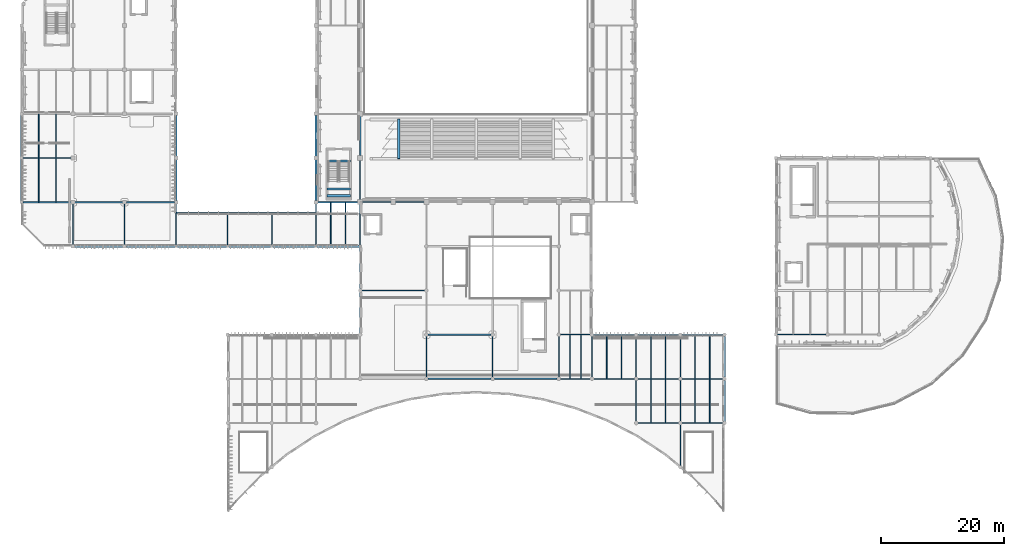
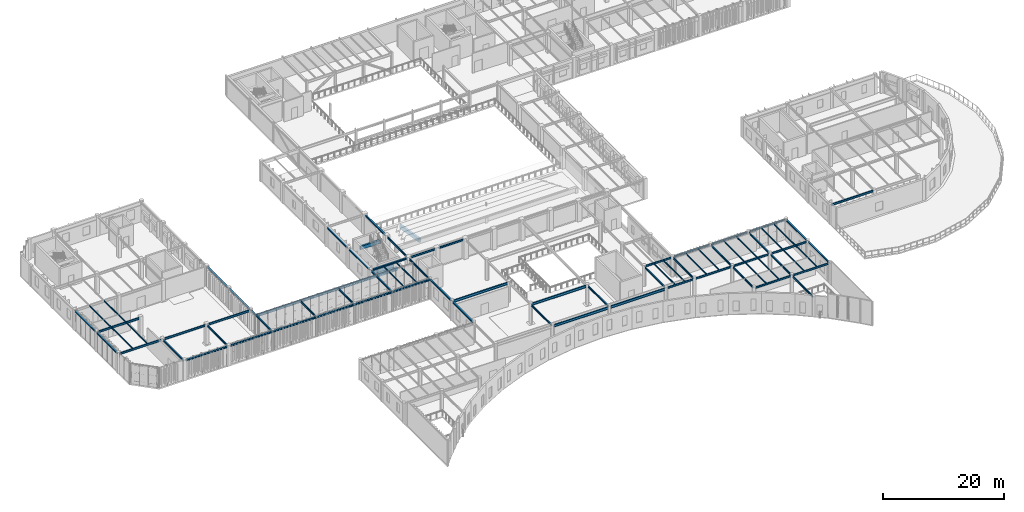
# One storey, part 12 of 104: 79 beams.
"""IFC4 building model written with IfcOpenShell, lengths in metres."""

from ifc_helpers import new_model, si_unit, direction, frame, origin, origin_2d, place, context, subcontext, project, spatial, rectangle, i_section, extrude, material, material_profile, profile_set, type_object, element, save


model = new_model("IFC4")

# Units and contexts
model_context = context("Model", 3, precision=1e-05, world=origin(), true_north=direction((0.0, 1.0)))
body_context = subcontext(model_context, "Body", "Model", "MODEL_VIEW")
ifc_project = project(units=[si_unit("LENGTHUNIT", "METRE"), si_unit("AREAUNIT", "SQUARE_METRE"), si_unit("VOLUMEUNIT", "CUBIC_METRE"), si_unit("PLANEANGLEUNIT", "RADIAN"), si_unit("MASSUNIT", "GRAM", prefix="KILO")], contexts=[model_context])

# Site, building, storey
site_placement = place(None, origin())
site = spatial("IfcSite", under=ifc_project, at=site_placement, CompositionType="ELEMENT")
building_placement = place(site_placement, origin())
building = spatial("IfcBuilding", under=site, at=building_placement, Name="Tazoul Stagehouse", CompositionType="ELEMENT")
storey_placement = place(building_placement, frame((0.0, 0.0, 9.0)))
storey = spatial("IfcBuildingStorey", under=building, at=storey_placement, Name="L02", CompositionType="ELEMENT", Elevation=9.0)

# Beams
ifc_material_1 = material(Name="Concrete C40/50", Category="concrete")
ifc_material_profile_1 = material_profile(ifc_material_1, rectangle(XDim=0.39990234375, YDim=0.75, at=origin_2d()), Name="RC 400x750")
ifc_profile_set_1 = profile_set([ifc_material_profile_1], Name="Concrete C40/50")
beam_type_1 = type_object("IfcBeamType", Name="RC Auditorium Raker Girder 400x750", PredefinedType="BEAM", material=ifc_profile_set_1)
beam_1_placement = place(storey_placement, frame((63.89990234375, 65.300048828125, -0.219970703125), z_axis=(0.0, -0.987536828698, 0.157388093469), x_axis=(1.0, 0.0, 0.0)))
element("IfcBeam", 1, at=beam_1_placement, inside=storey, type_object=beam_type_1, Name="RAKER V1-UPPER RB-01-01", PredefinedType="BEAM", context=body_context, shape_type="SweptSolid", body=[
    extrude(rectangle(XDim=0.39990234375, YDim=0.75, at=origin_2d()), origin(), (0.0, 0.0, 1.0), 6.48095703125),
])
ifc_material_profile_2 = material_profile(ifc_material_1, rectangle(XDim=0.35009765625, YDim=0.64990234375, at=origin_2d()), Name="RC 350x650")
ifc_profile_set_2 = profile_set([ifc_material_profile_2], Name="Concrete C40/50")
beam_type_2 = type_object("IfcBeamType", Name="RC Primary Girder 350x650", PredefinedType="BEAM", material=ifc_profile_set_2)
for number, where, z_axis, x_axis, name in (
    (2, (52.219970703125, 52.840087890625, 1.580078125), (1.0, 0.0, 0.0), (0.0, 1.0, 0.0), "L02 Stair Half-Landing Trimmer BM-01 (ST-05-1)"),
    (3, (52.219970703125, 53.93994140625, 1.580078125), (1.0, 0.0, 0.0), (0.0, 1.0, 0.0), "L02 Stair Half-Landing Trimmer BM-01 (ST-05-2)"),
    (4, (52.219970703125, 58.489990234375, 3.625), (1.0, 0.0, 0.0), (0.0, 1.0, 0.0), "L02 Stair Landing Trimmer BM-01 (ST-05-FL)"),
):
    element("IfcBeam", number, at=place(storey_placement, frame(where, z_axis=z_axis, x_axis=x_axis)), inside=storey, type_object=beam_type_2, Name=name, PredefinedType="BEAM", context=body_context, shape_type="SweptSolid", body=[
        extrude(rectangle(XDim=0.35009765625, YDim=0.64990234375, at=origin_2d()), origin(), (0.0, 0.0, 1.0), 3.81005859375),
    ])
ifc_material_2 = material(Name="Steel S355", Category="steel")
ifc_material_profile_3 = material_profile(ifc_material_2, i_section(OverallWidth=0.300048828125, OverallDepth=0.2900390625, WebThickness=0.008544921875, FlangeThickness=0.013916015625, FilletRadius=0.027099609375, at=origin_2d()), Name="HEA 300")
ifc_profile_set_3 = profile_set([ifc_material_profile_3], Name="Steel S355")
beam_type_3 = type_object("IfcBeamType", Name="Steel Crescent Spandrel HEA 300 (Exterior)", PredefinedType="SPANDREL", material=ifc_profile_set_3)
for number, where, z_axis, x_axis, name in (
    (5, (95.675048828125, 30.199951171875, 3.81298828125), (1.0, 0.0, 0.0), (0.0, 1.0, 0.0), "L02 Beam SP-03E E/15-16"),
    (6, (102.875, 30.199951171875, 3.81298828125), (1.0, 0.0, 0.0), (0.0, 1.0, 0.0), "L02 Beam SP-03E E/16-17"),
):
    element("IfcBeam", number, at=place(storey_placement, frame(where, z_axis=z_axis, x_axis=x_axis)), inside=storey, type_object=beam_type_3, Name=name, PredefinedType="SPANDREL", context=body_context, shape_type="SweptSolid", body=[
        extrude(i_section(OverallWidth=0.300048828125, OverallDepth=0.2900390625, WebThickness=0.008544921875, FlangeThickness=0.013916015625, FilletRadius=0.027099609375, at=origin_2d()), origin(), (0.0, 0.0, 1.0), 6.64990234375),
    ])
beam_2_placement = place(storey_placement, frame((110.074951171875, 30.199951171875, 3.81298828125), z_axis=(1.0, 0.0, 0.0), x_axis=(0.0, 1.0, 0.0)))
element("IfcBeam", 7, at=beam_2_placement, inside=storey, type_object=beam_type_3, Name="L02 Beam SP-03E E/17-18", PredefinedType="SPANDREL", context=body_context, shape_type="SweptSolid", body=[
    extrude(i_section(OverallWidth=0.300048828125, OverallDepth=0.2900390625, WebThickness=0.008544921875, FlangeThickness=0.013916015625, FilletRadius=0.027099609375, at=origin_2d()), origin(), (0.0, 0.0, 1.0), 6.650146484375),
])
beam_3_placement = place(storey_placement, frame((11.074951171875, 44.60009765625, 3.822998046875), z_axis=(1.0, 0.0, 0.0), x_axis=(0.0, 1.0, 0.0)))
element("IfcBeam", 8, at=beam_3_placement, inside=storey, type_object=beam_type_3, Name="L02 Beam SP-03E G/2-3", PredefinedType="SPANDREL", context=body_context, shape_type="SweptSolid", body=[
    extrude(i_section(OverallWidth=0.300048828125, OverallDepth=0.2900390625, WebThickness=0.008544921875, FlangeThickness=0.013916015625, FilletRadius=0.027099609375, at=origin_2d()), origin(), (0.0, 0.0, 1.0), 7.85009765625),
])
beam_4_placement = place(storey_placement, frame((19.47509765625, 44.60009765625, 3.822998046875), z_axis=(1.0, 0.0, 0.0), x_axis=(0.0, 1.0, 0.0)))
element("IfcBeam", 9, at=beam_4_placement, inside=storey, type_object=beam_type_3, Name="L02 Beam SP-03E G/3-4", PredefinedType="SPANDREL", context=body_context, shape_type="SweptSolid", body=[
    extrude(i_section(OverallWidth=0.300048828125, OverallDepth=0.2900390625, WebThickness=0.008544921875, FlangeThickness=0.013916015625, FilletRadius=0.027099609375, at=origin_2d()), origin(), (0.0, 0.0, 1.0), 8.114990234375),
])
beam_5_placement = place(storey_placement, frame((27.610107421875, 44.60009765625, 3.822998046875), z_axis=(1.0, 0.0, 0.0), x_axis=(0.0, 1.0, 0.0)))
element("IfcBeam", 10, at=beam_5_placement, inside=storey, type_object=beam_type_3, Name="L02 Beam SP-03E G/4-5", PredefinedType="SPANDREL", context=body_context, shape_type="SweptSolid", body=[
    extrude(i_section(OverallWidth=0.300048828125, OverallDepth=0.2900390625, WebThickness=0.008544921875, FlangeThickness=0.013916015625, FilletRadius=0.027099609375, at=origin_2d()), origin(), (0.0, 0.0, 1.0), 8.3798828125),
])
for number, where, z_axis, x_axis, name in (
    (11, (36.010009765625, 44.60009765625, 3.81298828125), (1.0, 0.0, 0.0), (0.0, 1.0, 0.0), "L02 Beam SP-03E G/5-6"),
    (12, (43.2099609375, 44.60009765625, 3.81298828125), (1.0, 0.0, 0.0), (0.0, 1.0, 0.0), "L02 Beam SP-03E G/6-7"),
):
    element("IfcBeam", number, at=place(storey_placement, frame(where, z_axis=z_axis, x_axis=x_axis)), inside=storey, type_object=beam_type_3, Name=name, PredefinedType="SPANDREL", context=body_context, shape_type="SweptSolid", body=[
        extrude(i_section(OverallWidth=0.300048828125, OverallDepth=0.2900390625, WebThickness=0.008544921875, FlangeThickness=0.013916015625, FilletRadius=0.027099609375, at=origin_2d()), origin(), (0.0, 0.0, 1.0), 7.179931640625),
    ])
beam_6_placement = place(storey_placement, frame((50.409912109375, 44.60009765625, 3.81298828125), z_axis=(1.0, 0.0, 0.0), x_axis=(0.0, 1.0, 0.0)))
element("IfcBeam", 13, at=beam_6_placement, inside=storey, type_object=beam_type_3, Name="L02 Beam SP-03E G/7-8", PredefinedType="SPANDREL", context=body_context, shape_type="SweptSolid", body=[
    extrude(i_section(OverallWidth=0.300048828125, OverallDepth=0.2900390625, WebThickness=0.008544921875, FlangeThickness=0.013916015625, FilletRadius=0.027099609375, at=origin_2d()), origin(), (0.0, 0.0, 1.0), 7.18017578125),
])
beam_7_placement = place(storey_placement, frame((50.675048828125, 51.800048828125, 3.802978515625), z_axis=(1.0, 0.0, 0.0), x_axis=(0.0, 1.0, 0.0)))
element("IfcBeam", 14, at=beam_7_placement, inside=storey, type_object=beam_type_3, Name="L02 Beam SP-03E H/7-8", PredefinedType="SPANDREL", context=body_context, shape_type="SweptSolid", body=[
    extrude(i_section(OverallWidth=0.300048828125, OverallDepth=0.2900390625, WebThickness=0.008544921875, FlangeThickness=0.013916015625, FilletRadius=0.027099609375, at=origin_2d()), origin(), (0.0, 0.0, 1.0), 6.550048828125),
])
ifc_material_profile_4 = material_profile(ifc_material_2, i_section(OverallWidth=0.280029296875, OverallDepth=0.27001953125, WebThickness=0.008056640625, FlangeThickness=0.012939453125, FilletRadius=0.02392578125, at=origin_2d()), Name="HEA 280")
ifc_profile_set_4 = profile_set([ifc_material_profile_4], Name="Steel S355")
beam_type_4 = type_object("IfcBeamType", Name="Steel Facade Spandrel HEA 280 (Exterior)", PredefinedType="SPANDREL", material=ifc_profile_set_4)
for number, where, z_axis, x_axis, name in (
    (15, (2.39990234375, 52.02490234375, 3.81298828125), (0.0, 1.0, 0.0), (-1.0, 0.0, 0.0), "L02 Beam SP-02E 1/H-J"),
    (16, (2.39990234375, 59.22509765625, 3.81298828125), (0.0, 1.0, 0.0), (-1.0, 0.0, 0.0), "L02 Beam SP-02E 1/J-K"),
):
    element("IfcBeam", number, at=place(storey_placement, frame(where, z_axis=z_axis, x_axis=x_axis)), inside=storey, type_object=beam_type_4, Name=name, PredefinedType="SPANDREL", context=body_context, shape_type="SweptSolid", body=[
        extrude(i_section(OverallWidth=0.280029296875, OverallDepth=0.27001953125, WebThickness=0.008056640625, FlangeThickness=0.012939453125, FilletRadius=0.02392578125, at=origin_2d()), origin(), (0.0, 0.0, 1.0), 6.75),
    ])
for number, where, z_axis, x_axis, name in (
    (17, (27.60009765625, 52.074951171875, 3.81298828125), (0.0, 1.0, 0.0), (-1.0, 0.0, 0.0), "L02 Beam SP-02E 4/H-J"),
    (18, (27.60009765625, 59.27490234375, 3.81298828125), (0.0, 1.0, 0.0), (-1.0, 0.0, 0.0), "L02 Beam SP-02E 4/J-K"),
    (19, (50.39990234375, 52.074951171875, 3.81298828125), (0.0, 1.0, 0.0), (-1.0, 0.0, 0.0), "L02 Beam SP-02E 7/H-J"),
    (20, (50.39990234375, 59.27490234375, 3.81298828125), (0.0, 1.0, 0.0), (-1.0, 0.0, 0.0), "L02 Beam SP-02E 7/J-K"),
):
    element("IfcBeam", number, at=place(storey_placement, frame(where, z_axis=z_axis, x_axis=x_axis)), inside=storey, type_object=beam_type_4, Name=name, PredefinedType="SPANDREL", context=body_context, shape_type="SweptSolid", body=[
        extrude(i_section(OverallWidth=0.280029296875, OverallDepth=0.27001953125, WebThickness=0.008056640625, FlangeThickness=0.012939453125, FilletRadius=0.02392578125, at=origin_2d()), origin(), (0.0, 0.0, 1.0), 6.650146484375),
    ])
beam_8_placement = place(storey_placement, frame((57.60009765625, 30.47509765625, 3.822998046875), z_axis=(0.0, 1.0, 0.0), x_axis=(-1.0, 0.0, 0.0)))
element("IfcBeam", 21, at=beam_8_placement, inside=storey, type_object=beam_type_4, Name="L02 Beam SP-02E 8/E-F", PredefinedType="SPANDREL", context=body_context, shape_type="SweptSolid", body=[
    extrude(i_section(OverallWidth=0.280029296875, OverallDepth=0.27001953125, WebThickness=0.008056640625, FlangeThickness=0.012939453125, FilletRadius=0.02392578125, at=origin_2d()), origin(), (0.0, 0.0, 1.0), 6.64990234375),
])
beam_9_placement = place(storey_placement, frame((57.60009765625, 37.675048828125, 3.822998046875), z_axis=(0.0, 1.0, 0.0), x_axis=(-1.0, 0.0, 0.0)))
element("IfcBeam", 22, at=beam_9_placement, inside=storey, type_object=beam_type_4, Name="L02 Beam SP-02E 8/F-G", PredefinedType="SPANDREL", context=body_context, shape_type="SweptSolid", body=[
    extrude(i_section(OverallWidth=0.280029296875, OverallDepth=0.27001953125, WebThickness=0.008056640625, FlangeThickness=0.012939453125, FilletRadius=0.02392578125, at=origin_2d()), origin(), (0.0, 0.0, 1.0), 6.7880859375),
])
beam_10_placement = place(storey_placement, frame((57.60009765625, 59.375, 3.81298828125), z_axis=(0.0, 1.0, 0.0), x_axis=(-1.0, 0.0, 0.0)))
element("IfcBeam", 23, at=beam_10_placement, inside=storey, type_object=beam_type_4, Name="L02 Beam SP-02E 8/J-K", PredefinedType="SPANDREL", context=body_context, shape_type="SweptSolid", body=[
    extrude(i_section(OverallWidth=0.280029296875, OverallDepth=0.27001953125, WebThickness=0.008056640625, FlangeThickness=0.012939453125, FilletRadius=0.02392578125, at=origin_2d()), origin(), (0.0, 0.0, 1.0), 6.449951171875),
])
for number, where, z_axis, x_axis, name in (
    (24, (117.0, 16.074951171875, 3.822998046875), (0.0, 1.0, 0.0), (-1.0, 0.0, 0.0), "L02 Beam SP-02E 18/C-D"),
    (25, (117.0, 23.27490234375, 3.822998046875), (0.0, 1.0, 0.0), (-1.0, 0.0, 0.0), "L02 Beam SP-02E 18/D-E"),
):
    element("IfcBeam", number, at=place(storey_placement, frame(where, z_axis=z_axis, x_axis=x_axis)), inside=storey, type_object=beam_type_4, Name=name, PredefinedType="SPANDREL", context=body_context, shape_type="SweptSolid", body=[
        extrude(i_section(OverallWidth=0.280029296875, OverallDepth=0.27001953125, WebThickness=0.008056640625, FlangeThickness=0.012939453125, FilletRadius=0.02392578125, at=origin_2d()), origin(), (0.0, 0.0, 1.0), 6.650146484375),
    ])
ifc_material_profile_5 = material_profile(ifc_material_2, i_section(OverallWidth=0.1201171875, OverallDepth=0.239990234375, WebThickness=0.006103515625, FlangeThickness=0.009765625, FilletRadius=0.014892578125, at=origin_2d()), Name="IPE 240")
ifc_profile_set_5 = profile_set([ifc_material_profile_5], Name="Steel S355")
beam_type_5 = type_object("IfcBeamType", Name="Steel Floor Joist IPE 240", PredefinedType="JOIST", material=ifc_profile_set_5)
for number, where, z_axis, x_axis, name in (
    (26, (105.0, 15.860107421875, 3.837890625), (0.0, 1.0, 0.0), (-1.0, 0.0, 0.0), "L02 Joist JS-01 16/C-1"),
    (27, (107.39990234375, 15.860107421875, 3.837890625), (0.0, 1.0, 0.0), (-1.0, 0.0, 0.0), "L02 Joist JS-01 16/C-2"),
    (28, (112.199951171875, 15.860107421875, 3.837890625), (0.0, 1.0, 0.0), (-1.0, 0.0, 0.0), "L02 Joist JS-01 17/C-1"),
    (29, (114.60009765625, 15.860107421875, 3.837890625), (0.0, 1.0, 0.0), (-1.0, 0.0, 0.0), "L02 Joist JS-01 17/C-2"),
    (30, (91.800048828125, 23.06005859375, 3.837890625), (0.0, 1.0, 0.0), (-1.0, 0.0, 0.0), "L02 Joist JS-01 14/D-1"),
    (31, (93.60009765625, 23.06005859375, 3.837890625), (0.0, 1.0, 0.0), (-1.0, 0.0, 0.0), "L02 Joist JS-01 14/D-2"),
):
    element("IfcBeam", number, at=place(storey_placement, frame(where, z_axis=z_axis, x_axis=x_axis)), inside=storey, type_object=beam_type_5, Name=name, PredefinedType="JOIST", context=body_context, shape_type="SweptSolid", body=[
        extrude(i_section(OverallWidth=0.1201171875, OverallDepth=0.239990234375, WebThickness=0.006103515625, FlangeThickness=0.009765625, FilletRadius=0.014892578125, at=origin_2d()), origin(), (0.0, 0.0, 1.0), 7.079833984375),
    ])
for number, where, z_axis, x_axis, name in (
    (32, (97.800048828125, 23.06005859375, 3.837890625), (0.0, 1.0, 0.0), (-1.0, 0.0, 0.0), "L02 Joist JS-01 15/D-1"),
    (33, (100.199951171875, 23.06005859375, 3.837890625), (0.0, 1.0, 0.0), (-1.0, 0.0, 0.0), "L02 Joist JS-01 15/D-2"),
    (34, (105.0, 23.06005859375, 3.837890625), (0.0, 1.0, 0.0), (-1.0, 0.0, 0.0), "L02 Joist JS-01 16/D-1"),
    (35, (107.39990234375, 23.06005859375, 3.837890625), (0.0, 1.0, 0.0), (-1.0, 0.0, 0.0), "L02 Joist JS-01 16/D-2"),
    (36, (112.199951171875, 23.06005859375, 3.837890625), (0.0, 1.0, 0.0), (-1.0, 0.0, 0.0), "L02 Joist JS-01 17/D-1"),
    (37, (114.60009765625, 23.06005859375, 3.837890625), (0.0, 1.0, 0.0), (-1.0, 0.0, 0.0), "L02 Joist JS-01 17/D-2"),
):
    element("IfcBeam", number, at=place(storey_placement, frame(where, z_axis=z_axis, x_axis=x_axis)), inside=storey, type_object=beam_type_5, Name=name, PredefinedType="JOIST", context=body_context, shape_type="SweptSolid", body=[
        extrude(i_section(OverallWidth=0.1201171875, OverallDepth=0.239990234375, WebThickness=0.006103515625, FlangeThickness=0.009765625, FilletRadius=0.014892578125, at=origin_2d()), origin(), (0.0, 0.0, 1.0), 7.014892578125),
    ])
for number, where, z_axis, x_axis, name in (
    (38, (52.800048828125, 44.72509765625, 3.837890625), (0.0, 1.0, 0.0), (-1.0, 0.0, 0.0), "L02 Joist JS-01 7/G-1"),
    (39, (55.199951171875, 44.72509765625, 3.837890625), (0.0, 1.0, 0.0), (-1.0, 0.0, 0.0), "L02 Joist JS-01 7/G-2"),
):
    element("IfcBeam", number, at=place(storey_placement, frame(where, z_axis=z_axis, x_axis=x_axis)), inside=storey, type_object=beam_type_5, Name=name, PredefinedType="JOIST", context=body_context, shape_type="SweptSolid", body=[
        extrude(i_section(OverallWidth=0.1201171875, OverallDepth=0.239990234375, WebThickness=0.006103515625, FlangeThickness=0.009765625, FilletRadius=0.014892578125, at=origin_2d()), origin(), (0.0, 0.0, 1.0), 6.949951171875),
    ])
for number, where, z_axis, x_axis, name in (
    (40, (5.199951171875, 51.864990234375, 3.827880859375), (0.0, 1.0, 0.0), (-1.0, 0.0, 0.0), "L02 Joist JS-01 1/H-1"),
    (41, (8.0, 51.864990234375, 3.827880859375), (0.0, 1.0, 0.0), (-1.0, 0.0, 0.0), "L02 Joist JS-01 1/H-2"),
    (42, (5.199951171875, 59.06494140625, 3.827880859375), (0.0, 1.0, 0.0), (-1.0, 0.0, 0.0), "L02 Joist JS-01 1/J-1"),
    (43, (8.0, 59.06494140625, 3.827880859375), (0.0, 1.0, 0.0), (-1.0, 0.0, 0.0), "L02 Joist JS-01 1/J-2"),
):
    element("IfcBeam", number, at=place(storey_placement, frame(where, z_axis=z_axis, x_axis=x_axis)), inside=storey, type_object=beam_type_5, Name=name, PredefinedType="JOIST", context=body_context, shape_type="SweptSolid", body=[
        extrude(i_section(OverallWidth=0.1201171875, OverallDepth=0.239990234375, WebThickness=0.006103515625, FlangeThickness=0.009765625, FilletRadius=0.014892578125, at=origin_2d()), origin(), (0.0, 0.0, 1.0), 7.070068359375),
    ])
ifc_material_profile_6 = material_profile(ifc_material_2, i_section(OverallWidth=0.2099609375, OverallDepth=0.550048828125, WebThickness=0.010986328125, FlangeThickness=0.01708984375, FilletRadius=0.02392578125, at=origin_2d()), Name="IPE 550")
ifc_profile_set_6 = profile_set([ifc_material_profile_6], Name="Steel S355")
beam_type_6 = type_object("IfcBeamType", Name="Steel Hall Girder IPE 550 (Exterior)", PredefinedType="BEAM", material=ifc_profile_set_6)
beam_11_placement = place(storey_placement, frame((27.64990234375, 50.06005859375, 3.7099609375), z_axis=(1.0, 0.0, 0.0), x_axis=(0.0, 1.0, 0.0)))
element("IfcBeam", 44, at=beam_11_placement, inside=storey, type_object=beam_type_6, Name="L02 West Passage North Eave Girder SB-05E", PredefinedType="BEAM", context=body_context, shape_type="SweptSolid", body=[
    extrude(i_section(OverallWidth=0.2099609375, OverallDepth=0.550048828125, WebThickness=0.010986328125, FlangeThickness=0.01708984375, FilletRadius=0.02392578125, at=origin_2d()), origin(), (0.0, 0.0, 1.0), 22.7001953125),
])
ifc_material_profile_7 = material_profile(ifc_material_2, i_section(OverallWidth=0.199951171875, OverallDepth=0.5, WebThickness=0.01025390625, FlangeThickness=0.01611328125, FilletRadius=0.02099609375, at=origin_2d()), Name="IPE 500")
ifc_profile_set_7 = profile_set([ifc_material_profile_7], Name="Steel S355")
beam_type_7 = type_object("IfcBeamType", Name="Steel Long-Span Girder IPE 500", PredefinedType="BEAM", material=ifc_profile_set_7)
for number, where, z_axis, x_axis, name in (
    (45, (68.675048828125, 23.0, 3.7080078125), (1.0, 0.0, 0.0), (0.0, 1.0, 0.0), "L02 Beam SB-04 D/10-12"),
    (46, (79.47509765625, 23.0, 3.7080078125), (1.0, 0.0, 0.0), (0.0, 1.0, 0.0), "L02 Beam SB-04 D/12-14"),
    (47, (68.675048828125, 30.199951171875, 3.7080078125), (1.0, 0.0, 0.0), (0.0, 1.0, 0.0), "L02 Beam SB-04 E/10-12"),
    (48, (57.875, 37.39990234375, 3.7080078125), (1.0, 0.0, 0.0), (0.0, 1.0, 0.0), "L02 Beam SB-04 F/8-10"),
):
    element("IfcBeam", number, at=place(storey_placement, frame(where, z_axis=z_axis, x_axis=x_axis)), inside=storey, type_object=beam_type_7, Name=name, PredefinedType="BEAM", context=body_context, shape_type="SweptSolid", body=[
        extrude(i_section(OverallWidth=0.199951171875, OverallDepth=0.5, WebThickness=0.01025390625, FlangeThickness=0.01611328125, FilletRadius=0.02099609375, at=origin_2d()), origin(), (0.0, 0.0, 1.0), 10.25),
    ])
ifc_material_profile_8 = material_profile(ifc_material_2, i_section(OverallWidth=0.169921875, OverallDepth=0.360107421875, WebThickness=0.008056640625, FlangeThickness=0.0126953125, FilletRadius=0.01806640625, at=origin_2d()), Name="IPE 360")
ifc_profile_set_8 = profile_set([ifc_material_profile_8], Name="Steel S355")
beam_type_8 = type_object("IfcBeamType", Name="Steel Primary Girder IPE 360", PredefinedType="BEAM", material=ifc_profile_set_8)
beam_12_placement = place(storey_placement, frame((102.875, 15.800048828125, 3.778076171875), z_axis=(1.0, 0.0, 0.0), x_axis=(0.0, 1.0, 0.0)))
element("IfcBeam", 49, at=beam_12_placement, inside=storey, type_object=beam_type_8, Name="L02 Beam SB-01 C/16-17", PredefinedType="BEAM", context=body_context, shape_type="SweptSolid", body=[
    extrude(i_section(OverallWidth=0.169921875, OverallDepth=0.360107421875, WebThickness=0.008056640625, FlangeThickness=0.0126953125, FilletRadius=0.01806640625, at=origin_2d()), origin(), (0.0, 0.0, 1.0), 6.64990234375),
])
beam_13_placement = place(storey_placement, frame((110.074951171875, 15.800048828125, 3.778076171875), z_axis=(1.0, 0.0, 0.0), x_axis=(0.0, 1.0, 0.0)))
element("IfcBeam", 50, at=beam_13_placement, inside=storey, type_object=beam_type_8, Name="L02 Beam SB-01 C/17-18", PredefinedType="BEAM", context=body_context, shape_type="SweptSolid", body=[
    extrude(i_section(OverallWidth=0.169921875, OverallDepth=0.360107421875, WebThickness=0.008056640625, FlangeThickness=0.0126953125, FilletRadius=0.01806640625, at=origin_2d()), origin(), (0.0, 0.0, 1.0), 6.650146484375),
])
beam_14_placement = place(storey_placement, frame((90.27490234375, 23.0, 3.778076171875), z_axis=(1.0, 0.0, 0.0), x_axis=(0.0, 1.0, 0.0)))
element("IfcBeam", 51, at=beam_14_placement, inside=storey, type_object=beam_type_8, Name="L02 Beam SB-01 D/14-15", PredefinedType="BEAM", context=body_context, shape_type="SweptSolid", body=[
    extrude(i_section(OverallWidth=0.169921875, OverallDepth=0.360107421875, WebThickness=0.008056640625, FlangeThickness=0.0126953125, FilletRadius=0.01806640625, at=origin_2d()), origin(), (0.0, 0.0, 1.0), 4.85009765625),
])
for number, where, z_axis, x_axis, name in (
    (52, (95.675048828125, 23.0, 3.778076171875), (1.0, 0.0, 0.0), (0.0, 1.0, 0.0), "L02 Beam SB-01 D/15-16"),
    (53, (102.875, 23.0, 3.778076171875), (1.0, 0.0, 0.0), (0.0, 1.0, 0.0), "L02 Beam SB-01 D/16-17"),
):
    element("IfcBeam", number, at=place(storey_placement, frame(where, z_axis=z_axis, x_axis=x_axis)), inside=storey, type_object=beam_type_8, Name=name, PredefinedType="BEAM", context=body_context, shape_type="SweptSolid", body=[
        extrude(i_section(OverallWidth=0.169921875, OverallDepth=0.360107421875, WebThickness=0.008056640625, FlangeThickness=0.0126953125, FilletRadius=0.01806640625, at=origin_2d()), origin(), (0.0, 0.0, 1.0), 6.64990234375),
    ])
beam_15_placement = place(storey_placement, frame((110.074951171875, 23.0, 3.778076171875), z_axis=(1.0, 0.0, 0.0), x_axis=(0.0, 1.0, 0.0)))
element("IfcBeam", 54, at=beam_15_placement, inside=storey, type_object=beam_type_8, Name="L02 Beam SB-01 D/17-18", PredefinedType="BEAM", context=body_context, shape_type="SweptSolid", body=[
    extrude(i_section(OverallWidth=0.169921875, OverallDepth=0.360107421875, WebThickness=0.008056640625, FlangeThickness=0.0126953125, FilletRadius=0.01806640625, at=origin_2d()), origin(), (0.0, 0.0, 1.0), 6.650146484375),
])
beam_16_placement = place(storey_placement, frame((90.27490234375, 30.199951171875, 3.778076171875), z_axis=(1.0, 0.0, 0.0), x_axis=(0.0, 1.0, 0.0)))
element("IfcBeam", 55, at=beam_16_placement, inside=storey, type_object=beam_type_8, Name="L02 Beam SB-01 E/14-15", PredefinedType="BEAM", context=body_context, shape_type="SweptSolid", body=[
    extrude(i_section(OverallWidth=0.169921875, OverallDepth=0.360107421875, WebThickness=0.008056640625, FlangeThickness=0.0126953125, FilletRadius=0.01806640625, at=origin_2d()), origin(), (0.0, 0.0, 1.0), 4.85009765625),
])
for number, where, z_axis, x_axis, name in (
    (56, (57.97509765625, 51.800048828125, 3.76806640625), (1.0, 0.0, 0.0), (0.0, 1.0, 0.0), "L02 Beam SB-01 H/8-9"),
    (57, (63.375, 51.800048828125, 3.76806640625), (1.0, 0.0, 0.0), (0.0, 1.0, 0.0), "L02 Beam SB-01 H/9-10"),
):
    element("IfcBeam", number, at=place(storey_placement, frame(where, z_axis=z_axis, x_axis=x_axis)), inside=storey, type_object=beam_type_8, Name=name, PredefinedType="BEAM", context=body_context, shape_type="SweptSolid", body=[
        extrude(i_section(OverallWidth=0.169921875, OverallDepth=0.360107421875, WebThickness=0.008056640625, FlangeThickness=0.0126953125, FilletRadius=0.01806640625, at=origin_2d()), origin(), (0.0, 0.0, 1.0), 4.64990234375),
    ])
for number, where, z_axis, x_axis, name in (
    (58, (10.800048828125, 44.875, 3.76806640625), (0.0, 1.0, 0.0), (-1.0, 0.0, 0.0), "L02 Beam SB-01 2/G-H"),
    (59, (19.199951171875, 44.875, 3.76806640625), (0.0, 1.0, 0.0), (-1.0, 0.0, 0.0), "L02 Beam SB-01 3/G-H"),
):
    element("IfcBeam", number, at=place(storey_placement, frame(where, z_axis=z_axis, x_axis=x_axis)), inside=storey, type_object=beam_type_8, Name=name, PredefinedType="BEAM", context=body_context, shape_type="SweptSolid", body=[
        extrude(i_section(OverallWidth=0.169921875, OverallDepth=0.360107421875, WebThickness=0.008056640625, FlangeThickness=0.0126953125, FilletRadius=0.01806640625, at=origin_2d()), origin(), (0.0, 0.0, 1.0), 6.64990234375),
    ])
for number, where, z_axis, x_axis, name in (
    (60, (27.60009765625, 44.737060546875, 3.76806640625), (0.0, 1.0, 0.0), (-1.0, 0.0, 0.0), "L02 Beam SB-01 4/G-H"),
    (61, (50.39990234375, 44.737060546875, 3.76806640625), (0.0, 1.0, 0.0), (-1.0, 0.0, 0.0), "L02 Beam SB-01 7/G-H"),
):
    element("IfcBeam", number, at=place(storey_placement, frame(where, z_axis=z_axis, x_axis=x_axis)), inside=storey, type_object=beam_type_8, Name=name, PredefinedType="BEAM", context=body_context, shape_type="SweptSolid", body=[
        extrude(i_section(OverallWidth=0.169921875, OverallDepth=0.360107421875, WebThickness=0.008056640625, FlangeThickness=0.0126953125, FilletRadius=0.01806640625, at=origin_2d()), origin(), (0.0, 0.0, 1.0), 6.787841796875),
    ])
beam_17_placement = place(storey_placement, frame((57.60009765625, 44.737060546875, 3.76806640625), z_axis=(0.0, 1.0, 0.0), x_axis=(-1.0, 0.0, 0.0)))
element("IfcBeam", 62, at=beam_17_placement, inside=storey, type_object=beam_type_8, Name="L02 Beam SB-01 8/G-H", PredefinedType="BEAM", context=body_context, shape_type="SweptSolid", body=[
    extrude(i_section(OverallWidth=0.169921875, OverallDepth=0.360107421875, WebThickness=0.008056640625, FlangeThickness=0.0126953125, FilletRadius=0.01806640625, at=origin_2d()), origin(), (0.0, 0.0, 1.0), 6.68798828125),
])
beam_18_placement = place(storey_placement, frame((57.60009765625, 52.175048828125, 3.76806640625), z_axis=(0.0, 1.0, 0.0), x_axis=(-1.0, 0.0, 0.0)))
element("IfcBeam", 63, at=beam_18_placement, inside=storey, type_object=beam_type_8, Name="L02 Beam SB-01 8/H-J", PredefinedType="BEAM", context=body_context, shape_type="SweptSolid", body=[
    extrude(i_section(OverallWidth=0.169921875, OverallDepth=0.360107421875, WebThickness=0.008056640625, FlangeThickness=0.0126953125, FilletRadius=0.01806640625, at=origin_2d()), origin(), (0.0, 0.0, 1.0), 6.449951171875),
])
for number, where, z_axis, x_axis, name in (
    (64, (68.39990234375, 23.27490234375, 3.778076171875), (0.0, 1.0, 0.0), (-1.0, 0.0, 0.0), "L02 Beam SB-01 10/D-E"),
    (65, (79.199951171875, 23.27490234375, 3.778076171875), (0.0, 1.0, 0.0), (-1.0, 0.0, 0.0), "L02 Beam SB-01 12/D-E"),
    (66, (90.0, 23.27490234375, 3.778076171875), (0.0, 1.0, 0.0), (-1.0, 0.0, 0.0), "L02 Beam SB-01 14/D-E"),
    (67, (95.39990234375, 23.27490234375, 3.778076171875), (0.0, 1.0, 0.0), (-1.0, 0.0, 0.0), "L02 Beam SB-01 15/D-E"),
    (68, (102.60009765625, 16.074951171875, 3.778076171875), (0.0, 1.0, 0.0), (-1.0, 0.0, 0.0), "L02 Beam SB-01 16/C-D"),
    (69, (102.60009765625, 23.27490234375, 3.778076171875), (0.0, 1.0, 0.0), (-1.0, 0.0, 0.0), "L02 Beam SB-01 16/D-E"),
):
    element("IfcBeam", number, at=place(storey_placement, frame(where, z_axis=z_axis, x_axis=x_axis)), inside=storey, type_object=beam_type_8, Name=name, PredefinedType="BEAM", context=body_context, shape_type="SweptSolid", body=[
        extrude(i_section(OverallWidth=0.169921875, OverallDepth=0.360107421875, WebThickness=0.008056640625, FlangeThickness=0.0126953125, FilletRadius=0.01806640625, at=origin_2d()), origin(), (0.0, 0.0, 1.0), 6.650146484375),
    ])
beam_19_placement = place(storey_placement, frame((109.800048828125, 8.875, 3.778076171875), z_axis=(0.0, 1.0, 0.0), x_axis=(-1.0, 0.0, 0.0)))
element("IfcBeam", 70, at=beam_19_placement, inside=storey, type_object=beam_type_8, Name="L02 Beam SB-01 17/B-C", PredefinedType="BEAM", context=body_context, shape_type="SweptSolid", body=[
    extrude(i_section(OverallWidth=0.169921875, OverallDepth=0.360107421875, WebThickness=0.008056640625, FlangeThickness=0.0126953125, FilletRadius=0.01806640625, at=origin_2d()), origin(), (0.0, 0.0, 1.0), 6.64990234375),
])
for number, where, z_axis, x_axis, name in (
    (71, (109.800048828125, 16.074951171875, 3.778076171875), (0.0, 1.0, 0.0), (-1.0, 0.0, 0.0), "L02 Beam SB-01 17/C-D"),
    (72, (109.800048828125, 23.27490234375, 3.778076171875), (0.0, 1.0, 0.0), (-1.0, 0.0, 0.0), "L02 Beam SB-01 17/D-E"),
):
    element("IfcBeam", number, at=place(storey_placement, frame(where, z_axis=z_axis, x_axis=x_axis)), inside=storey, type_object=beam_type_8, Name=name, PredefinedType="BEAM", context=body_context, shape_type="SweptSolid", body=[
        extrude(i_section(OverallWidth=0.169921875, OverallDepth=0.360107421875, WebThickness=0.008056640625, FlangeThickness=0.0126953125, FilletRadius=0.01806640625, at=origin_2d()), origin(), (0.0, 0.0, 1.0), 6.650146484375),
    ])
ifc_material_profile_9 = material_profile(ifc_material_2, i_section(OverallWidth=0.169921875, OverallDepth=0.360107421875, WebThickness=0.008056640625, FlangeThickness=0.0126953125, FilletRadius=0.01806640625, at=origin_2d()), Name="IPE 360")
ifc_profile_set_9 = profile_set([ifc_material_profile_9], Name="Steel S355")
beam_type_9 = type_object("IfcBeamType", Name="Steel Primary Girder IPE 360 (Exterior)", PredefinedType="BEAM", material=ifc_profile_set_9)
for number, where, z_axis, x_axis, name in (
    (73, (36.0, 44.64990234375, 3.760009765625), (0.0, 1.0, 0.0), (-1.0, 0.0, 0.0), "L02 Passage Arch Tie Beam SB-01E X36"),
    (74, (43.199951171875, 44.64990234375, 3.760009765625), (0.0, 1.0, 0.0), (-1.0, 0.0, 0.0), "L02 Passage Arch Tie Beam SB-01E X43"),
):
    element("IfcBeam", number, at=place(storey_placement, frame(where, z_axis=z_axis, x_axis=x_axis)), inside=storey, type_object=beam_type_9, Name=name, PredefinedType="BEAM", context=body_context, shape_type="SweptSolid", body=[
        extrude(i_section(OverallWidth=0.169921875, OverallDepth=0.360107421875, WebThickness=0.008056640625, FlangeThickness=0.0126953125, FilletRadius=0.01806640625, at=origin_2d()), origin(), (0.0, 0.0, 1.0), 5.3701171875),
    ])
ifc_material_profile_10 = material_profile(ifc_material_2, i_section(OverallWidth=0.179931640625, OverallDepth=0.39990234375, WebThickness=0.008544921875, FlangeThickness=0.013427734375, FilletRadius=0.02099609375, at=origin_2d()), Name="IPE 400")
ifc_profile_set_10 = profile_set([ifc_material_profile_10], Name="Steel S355")
beam_type_10 = type_object("IfcBeamType", Name="Steel Primary Girder IPE 400", PredefinedType="BEAM", material=ifc_profile_set_10)
beam_20_placement = place(storey_placement, frame((125.625, 30.199951171875, 3.758056640625), z_axis=(1.0, 0.0, 0.0), x_axis=(0.0, 1.0, 0.0)))
element("IfcBeam", 75, at=beam_20_placement, inside=storey, type_object=beam_type_10, Name="L02 Beam SB-02 E/19-20", PredefinedType="BEAM", context=body_context, shape_type="SweptSolid", body=[
    extrude(i_section(OverallWidth=0.179931640625, OverallDepth=0.39990234375, WebThickness=0.008544921875, FlangeThickness=0.013427734375, FilletRadius=0.02099609375, at=origin_2d()), origin(), (0.0, 0.0, 1.0), 7.949951171875),
])
beam_21_placement = place(storey_placement, frame((2.625, 51.800048828125, 3.748046875), z_axis=(1.0, 0.0, 0.0), x_axis=(0.0, 1.0, 0.0)))
element("IfcBeam", 76, at=beam_21_placement, inside=storey, type_object=beam_type_10, Name="L02 Beam SB-02 H/1-2", PredefinedType="BEAM", context=body_context, shape_type="SweptSolid", body=[
    extrude(i_section(OverallWidth=0.179931640625, OverallDepth=0.39990234375, WebThickness=0.008544921875, FlangeThickness=0.013427734375, FilletRadius=0.02099609375, at=origin_2d()), origin(), (0.0, 0.0, 1.0), 7.89990234375),
])
beam_22_placement = place(storey_placement, frame((11.074951171875, 51.800048828125, 3.748046875), z_axis=(1.0, 0.0, 0.0), x_axis=(0.0, 1.0, 0.0)))
element("IfcBeam", 77, at=beam_22_placement, inside=storey, type_object=beam_type_10, Name="L02 Beam SB-02 H/2-3", PredefinedType="BEAM", context=body_context, shape_type="SweptSolid", body=[
    extrude(i_section(OverallWidth=0.179931640625, OverallDepth=0.39990234375, WebThickness=0.008544921875, FlangeThickness=0.013427734375, FilletRadius=0.02099609375, at=origin_2d()), origin(), (0.0, 0.0, 1.0), 7.85009765625),
])
beam_23_placement = place(storey_placement, frame((19.47509765625, 51.800048828125, 3.748046875), z_axis=(1.0, 0.0, 0.0), x_axis=(0.0, 1.0, 0.0)))
element("IfcBeam", 78, at=beam_23_placement, inside=storey, type_object=beam_type_10, Name="L02 Beam SB-02 H/3-4", PredefinedType="BEAM", context=body_context, shape_type="SweptSolid", body=[
    extrude(i_section(OverallWidth=0.179931640625, OverallDepth=0.39990234375, WebThickness=0.008544921875, FlangeThickness=0.013427734375, FilletRadius=0.02099609375, at=origin_2d()), origin(), (0.0, 0.0, 1.0), 7.849853515625),
])
beam_24_placement = place(storey_placement, frame((2.625, 59.0, 3.748046875), z_axis=(1.0, 0.0, 0.0), x_axis=(0.0, 1.0, 0.0)))
element("IfcBeam", 79, at=beam_24_placement, inside=storey, type_object=beam_type_10, Name="L02 Beam SB-02 J/1-2", PredefinedType="BEAM", context=body_context, shape_type="SweptSolid", body=[
    extrude(i_section(OverallWidth=0.179931640625, OverallDepth=0.39990234375, WebThickness=0.008544921875, FlangeThickness=0.013427734375, FilletRadius=0.02099609375, at=origin_2d()), origin(), (0.0, 0.0, 1.0), 7.89990234375),
])

save(model, "model.ifc")
